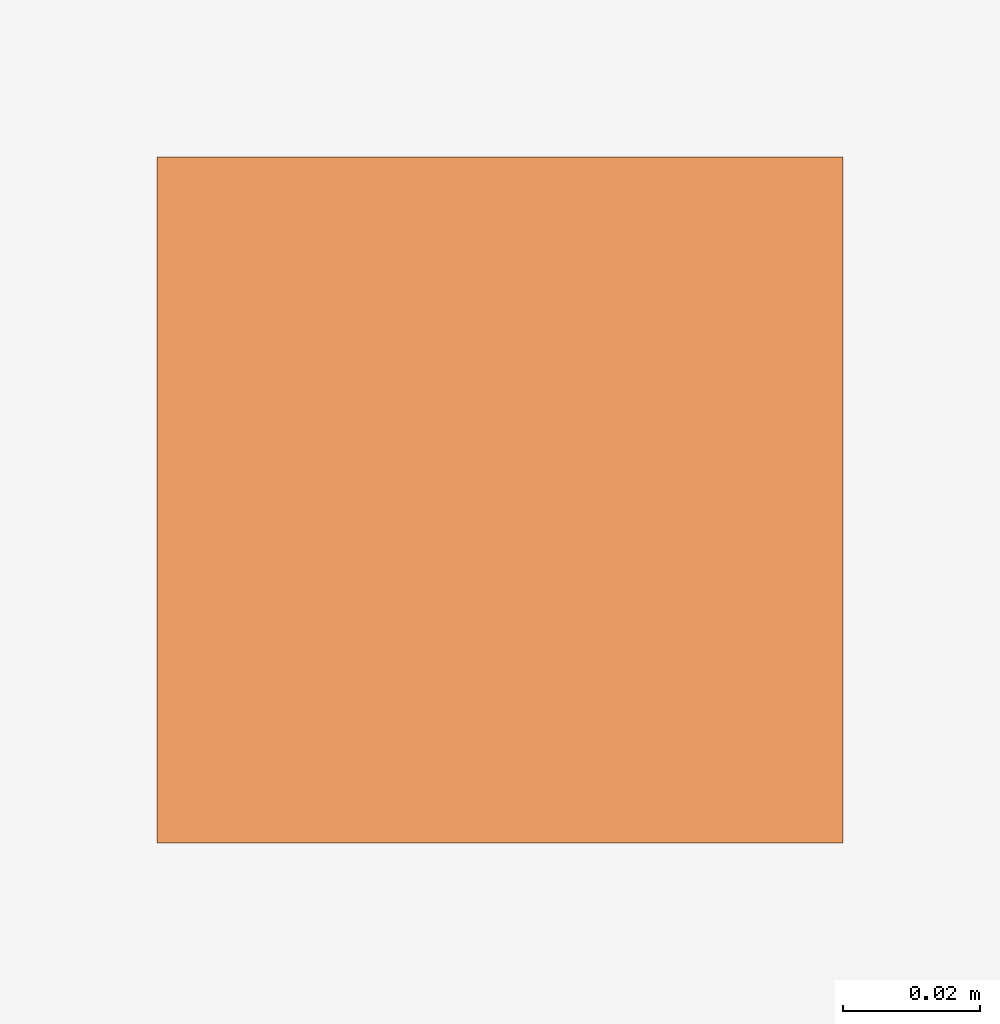
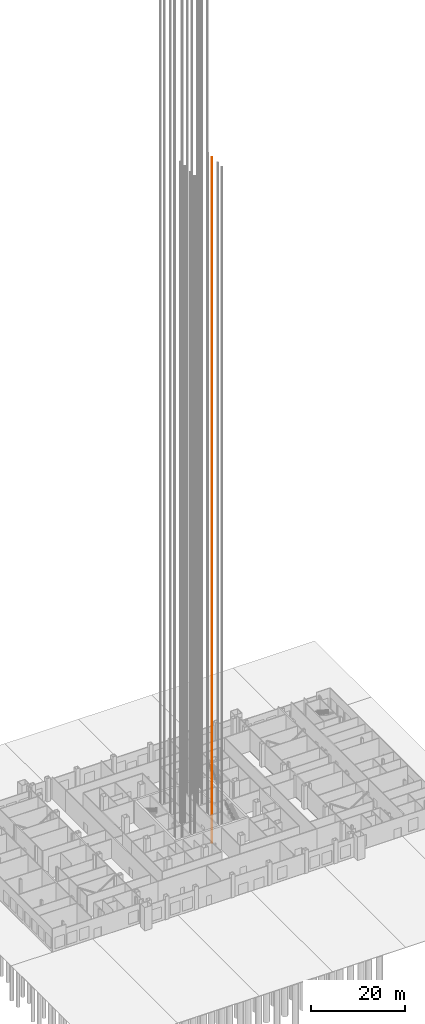
# One storey, part 24 of 36: 1 proxy.
"""IFC4 building model written with IfcOpenShell, lengths in metres."""

from ifc_helpers import new_model, si_unit, direction, frame, origin, origin_2d, place, context, subcontext, project, spatial, rectangle, extrude, material, type_object, element, save


model = new_model("IFC4")

# Units and contexts
model_context = context("Model", 3, precision=1e-05, world=origin(), true_north=direction((0.0, 1.0)))
body_context = subcontext(model_context, "Body", "Model", "MODEL_VIEW")
ifc_project = project(units=[si_unit("LENGTHUNIT", "METRE"), si_unit("AREAUNIT", "SQUARE_METRE"), si_unit("VOLUMEUNIT", "CUBIC_METRE"), si_unit("PLANEANGLEUNIT", "RADIAN"), si_unit("MASSUNIT", "GRAM", prefix="KILO")], contexts=[model_context])

# Site, building, storey
site_placement = place(None, origin())
site = spatial("IfcSite", under=ifc_project, at=site_placement, CompositionType="ELEMENT")
building_placement = place(site_placement, origin())
building = spatial("IfcBuilding", under=site, at=building_placement, Name="Malebo Sky Hospital", CompositionType="ELEMENT")
storey_placement = place(building_placement, origin())
storey = spatial("IfcBuildingStorey", under=building, at=storey_placement, Name="L00", CompositionType="ELEMENT", Elevation=0.0)

# Proxy
ifc_material = material(Name="Steel S355", Category="steel")
building_element_proxy_type = type_object("IfcBuildingElementProxyType", Name="LIFT GUIDE RAIL 100", PredefinedType="USERDEFINED", material=ifc_material)
proxy_placement = place(storey_placement, frame((63.35009765625, 58.97509765625, 0.0)))
element("IfcBuildingElementProxy", 1, at=proxy_placement, inside=storey, type_object=building_element_proxy_type, Name="Lift E2 guide rail 1", ObjectType="LIFT GUIDE RAIL", PredefinedType="USERDEFINED", context=body_context, shape_type="SweptSolid", body=[
    extrude(rectangle(XDim=0.10009765625, YDim=0.10009765625, at=origin_2d()), frame((0.0, 0.0, -2.25)), (0.0, 0.0, 1.0), 177.75),
])

save(model, "model.ifc")
